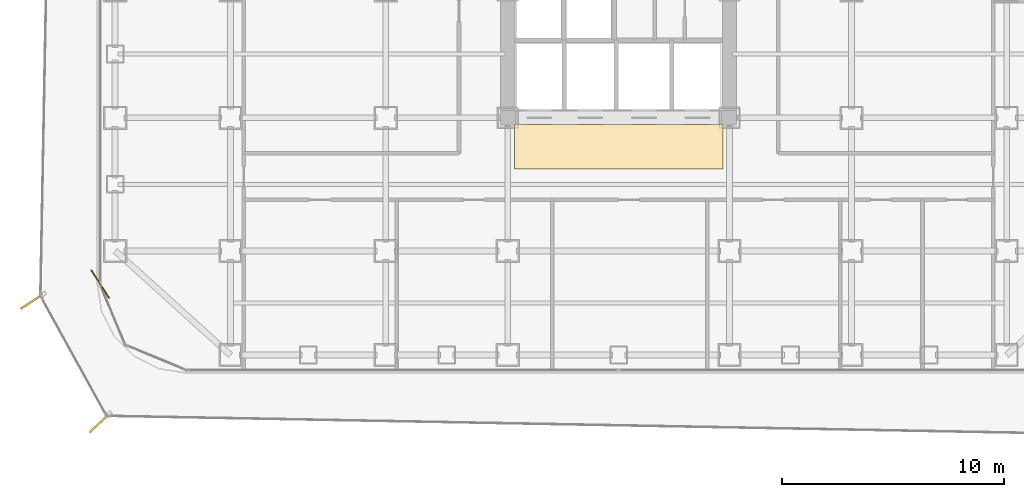
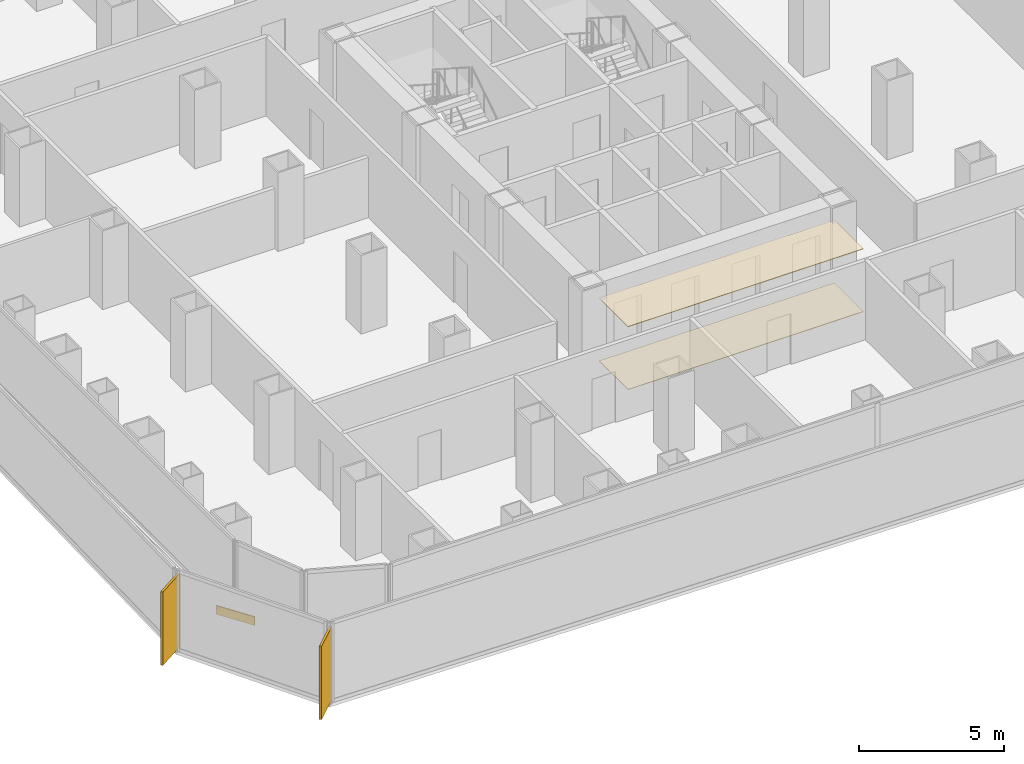
# One storey, part 20 of 22: 3 coverings, 2 shading devices.
"""IFC4 building model written with IfcOpenShell, lengths in metres."""

from ifc_helpers import new_model, si_unit, direction, frame, origin, origin_2d, place, context, subcontext, project, spatial, polyline, rectangle, outline, extrude, source, transform, mapped, material, layer, layer_set, type_object, element, save


model = new_model("IFC4")

# Units and contexts
model_context = context("Model", 3, precision=1e-05, world=origin(), true_north=direction((0.0, 1.0)))
body_context = subcontext(model_context, "Body", "Model", "MODEL_VIEW")
ifc_project = project(units=[si_unit("LENGTHUNIT", "METRE"), si_unit("AREAUNIT", "SQUARE_METRE"), si_unit("VOLUMEUNIT", "CUBIC_METRE"), si_unit("PLANEANGLEUNIT", "RADIAN"), si_unit("MASSUNIT", "GRAM", prefix="KILO")], contexts=[model_context])

# Site, building, storey
site_placement = place(None, origin())
site = spatial("IfcSite", under=ifc_project, at=site_placement, CompositionType="ELEMENT")
building_placement = place(site_placement, origin())
building = spatial("IfcBuilding", under=site, at=building_placement, Name="Kolveth Station Tower", CompositionType="ELEMENT")
storey_placement = place(building_placement, frame((0.0, 0.0, 81.0)))
storey = spatial("IfcBuildingStorey", under=building, at=storey_placement, Name="L21", CompositionType="ELEMENT", Elevation=81.0)

# Coverings
ifc_material_1 = material(Name="Acoustic mineral-fibre ceiling tile")
ifc_layer_1 = layer(ifc_material_1, 0.02490234375)
ifc_layer_set_1 = layer_set([ifc_layer_1], Name="Acoustic mineral-fibre ceiling tile")
covering_type_1 = type_object("IfcCoveringType", Name="Ceil_CL1", PredefinedType="CEILING", material=ifc_layer_set_1)
covering_1_placement = place(storey_placement, frame((0.0, 0.0, 2.64990234375)))
element("IfcCovering", 1, at=covering_1_placement, inside=storey, type_object=covering_type_1, Name="L21 Lift Lobby Suspended Ceiling", PredefinedType="CEILING", context=body_context, shape_type="SweptSolid", body=[
    extrude(outline(polyline([(18.800048828125, 9.199951171875), (28.199951171875, 9.199951171875), (28.199951171875, 11.199951171875), (18.800048828125, 11.199951171875), (18.800048828125, 9.199951171875)])), origin(), (0.0, 0.0, 1.0), 0.025146484375),
])
ifc_material_2 = material(Name="Honed terrazzo flooring")
ifc_layer_2 = layer(ifc_material_2, 0.02001953125)
ifc_layer_set_2 = layer_set([ifc_layer_2], Name="Honed terrazzo flooring")
covering_type_2 = type_object("IfcCoveringType", Name="Floor_FL1", PredefinedType="FLOORING", material=ifc_layer_set_2)
covering_2_placement = place(storey_placement, origin())
element("IfcCovering", 2, at=covering_2_placement, inside=storey, type_object=covering_type_2, Name="L21 Lift Lobby Floor Finish", PredefinedType="FLOORING", context=body_context, shape_type="SweptSolid", body=[
    extrude(outline(polyline([(18.800048828125, 9.199951171875), (28.199951171875, 9.199951171875), (28.199951171875, 11.199951171875), (18.800048828125, 11.199951171875), (18.800048828125, 9.199951171875)])), origin(), (0.0, 0.0, 1.0), 0.02001953125),
])

# Shading devices
ifc_material_3 = material(Name="Black anodized aluminium 6063-T6", Category="aluminium")
shading_device_type = type_object("IfcShadingDeviceType", Name="FIN_VF1", PredefinedType="USERDEFINED", material=ifc_material_3)
shared_shape_1 = source(origin(), body_context, "Body", "SweptSolid", [
    extrude(rectangle(XDim=1.25, YDim=0.090087890625, at=origin_2d()), origin(), (0.0, 0.0, 1.0), 3.10009765625),
])
for number, where, z_axis, x_axis, name in (
    (3, (-2.944091796875, 3.22509765625, 0.0), (0.0, 0.0, 1.0), (-0.840850126015, -0.541268016402, 0.0), "L21 Dark-Aluminium Solar Fin 7"),
    (4, (0.097900390625, -2.259033203125, 0.0), (0.0, 0.0, 1.0), (-0.720672122155, -0.693276057822, 0.0), "L21 Dark-Aluminium Solar Fin 8"),
):
    element("IfcShadingDevice", number, at=place(storey_placement, frame(where, z_axis=z_axis, x_axis=x_axis)), inside=storey, type_object=shading_device_type, Name=name, ObjectType="FIN", PredefinedType="USERDEFINED", context=body_context, shape_type="MappedRepresentation", body=[
        mapped(shared_shape_1, transform((0.0, 0.0, 0.0), x_axis=(1.0, 0.0, 0.0), y_axis=(0.0, 1.0, 0.0), z_axis=(0.0, 0.0, 1.0), scale=1.0)),
    ])

# Covering
ifc_material_4 = material(Name="Charcoal anodized aluminium spandrel cladding", Category="aluminium")
ifc_layer_3 = layer(ifc_material_4, 0.044921875)
ifc_layer_set_3 = layer_set([ifc_layer_3], Name="Charcoal anodized aluminium spandrel cladding")
covering_type_3 = type_object("IfcCoveringType", Name="Clad_CD1", PredefinedType="CLADDING", material=ifc_layer_set_3)
shared_shape_2 = source(origin(), body_context, "Body", "SweptSolid", [
    extrude(rectangle(XDim=1.5, YDim=0.044921875, at=origin_2d()), origin(), (0.0, 0.0, 1.0), 0.360107421875),
])
covering_3_placement = place(storey_placement, frame((0.1201171875, 4.0, 0.0), z_axis=(0.0, 0.0, 1.0), x_axis=(0.541268016402, -0.840850126015, 0.0)))
element("IfcCovering", 5, at=covering_3_placement, inside=storey, type_object=covering_type_3, Name="L21 Spandrel Edge Cladding 7", PredefinedType="CLADDING", context=body_context, shape_type="MappedRepresentation", body=[
    mapped(shared_shape_2, transform((0.0, 0.0, 0.0), x_axis=(1.0, 0.0, 0.0), y_axis=(0.0, 1.0, 0.0), z_axis=(0.0, 0.0, 1.0), scale=1.0)),
])

save(model, "model.ifc")
